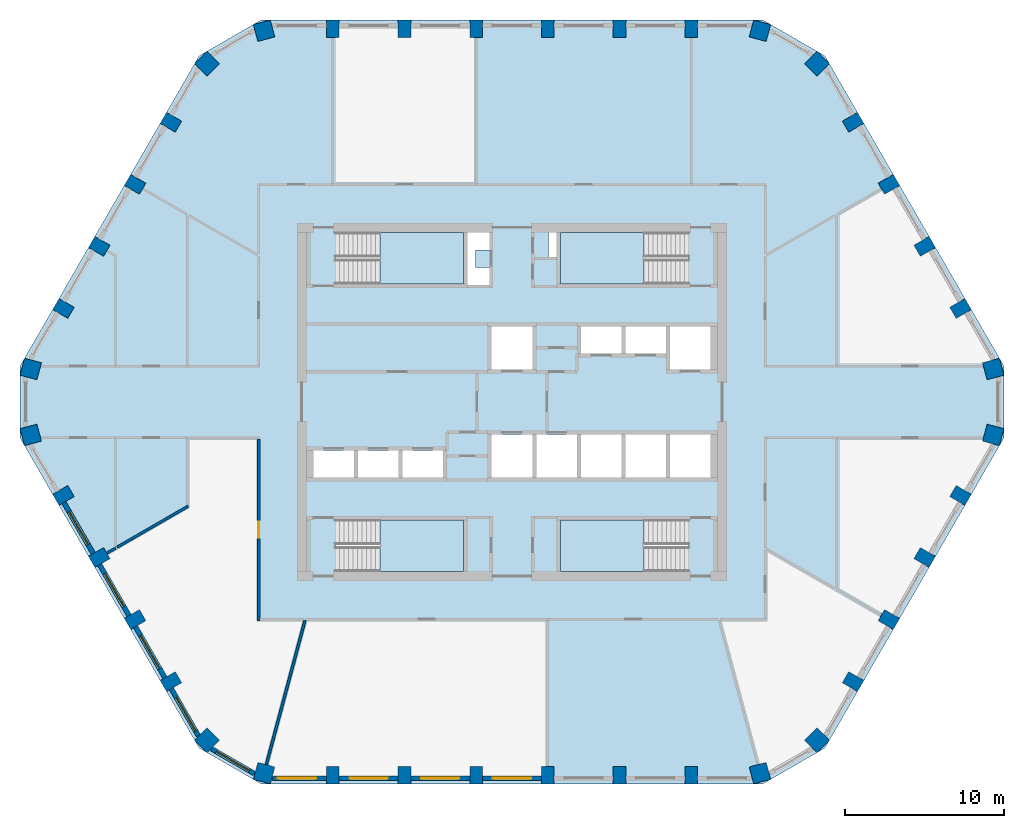
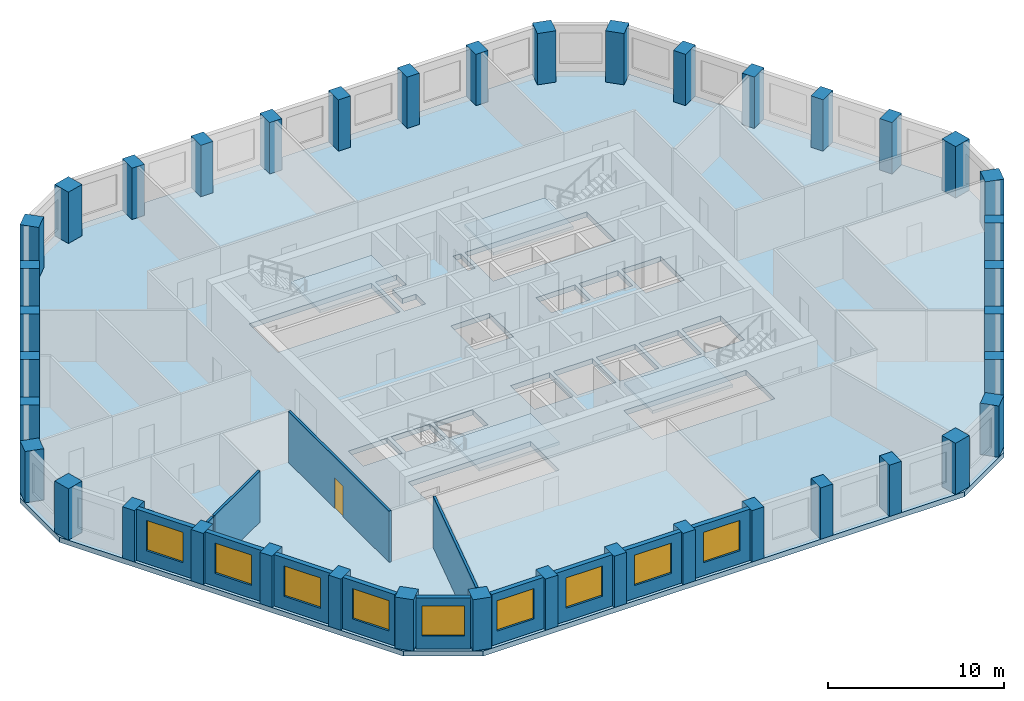
# One storey, part 1 of 11: 40 columns, 13 walls, 9 windows, 5 slabs, 1 door, 10 openings, 4 elements without a shape of their own.
"""IFC4 building model written with IfcOpenShell, lengths in metres."""

from ifc_helpers import new_model, si_unit, direction, frame, frame_2d, origin, origin_2d, place, context, subcontext, project, spatial, polyline, rectangle, outline, extrude, material, layer, layer_set, material_profile, profile_set, type_object, element, fill, aggregate, save


model = new_model("IFC4")

# Units and contexts
model_context = context("Model", 3, precision=1e-05, world=origin(), true_north=direction((0.0, 1.0)))
body_context = subcontext(model_context, "Body", "Model", "MODEL_VIEW")
ifc_project = project(units=[si_unit("LENGTHUNIT", "METRE"), si_unit("AREAUNIT", "SQUARE_METRE"), si_unit("VOLUMEUNIT", "CUBIC_METRE"), si_unit("PLANEANGLEUNIT", "RADIAN"), si_unit("MASSUNIT", "GRAM", prefix="KILO")], contexts=[model_context])

# Site, building, storey
site_placement = place(None, origin())
site = spatial("IfcSite", under=ifc_project, at=site_placement, CompositionType="ELEMENT")
building_placement = place(site_placement, origin())
building = spatial("IfcBuilding", under=site, at=building_placement, Name="Dhurran Vertical Campus", CompositionType="ELEMENT")
storey_placement = place(building_placement, frame((0.0, 0.0, 215.10009765625)))
storey = spatial("IfcBuildingStorey", under=building, at=storey_placement, Name="L53", CompositionType="ELEMENT", Elevation=215.10009765625)

# Columns
ifc_material_1 = material(Name="Concrete C50/60", Category="concrete")
ifc_material_profile_1 = material_profile(ifc_material_1, rectangle(XDim=1.10009765625, YDim=1.10009765625, at=origin_2d()), Name="RC 1100x1100")
ifc_profile_set_1 = profile_set([ifc_material_profile_1], Name="Concrete C50/60")
column_type_1 = type_object("IfcColumnType", Name="FR COL RC 1100x1100 C50/60", PredefinedType="COLUMN", material=ifc_profile_set_1)
for number, where, z_axis, x_axis, name in (
    (1, (-15.569580078125, -23.31201171875, 0.0), (0.0, 0.0, 1.0), (0.965925826289, -0.258819045103, 0.0), "Perimeter pier PP4.00"),
    (2, (15.569580078125, -23.31201171875, 0.0), (0.0, 0.0, 1.0), (0.965925826289, 0.258819045103, 0.0), "Perimeter pier PP4.07"),
    (3, (19.154052734375, -21.242431640625, 0.0), (0.0, 0.0, 1.0), (0.707106781187, 0.707106781187, 0.0), "Perimeter pier PP4.08"),
    (4, (30.223388671875, -2.069580078125, 0.0), (0.0, 0.0, 1.0), (0.258819045103, 0.965925826289, 0.0), "Perimeter pier PP4.13"),
    (5, (30.223388671875, 2.069580078125, 0.0), (0.0, 0.0, 1.0), (-0.258819045103, 0.965925826289, 0.0), "Perimeter pier PP4.14"),
    (6, (19.154052734375, 21.242431640625, 0.0), (0.0, 0.0, 1.0), (-0.707106781187, 0.707106781187, 0.0), "Perimeter pier PP4.19"),
    (7, (15.569580078125, 23.31201171875, 0.0), (0.0, 0.0, 1.0), (-0.965925826289, 0.258819045103, 0.0), "Perimeter pier PP4.20"),
    (8, (-15.569580078125, 23.31201171875, 0.0), (0.0, 0.0, 1.0), (-0.965925826289, -0.258819045103, 0.0), "Perimeter pier PP4.27"),
    (9, (-19.154052734375, 21.242431640625, 0.0), (0.0, 0.0, 1.0), (-0.707106781187, -0.707106781187, 0.0), "Perimeter pier PP4.28"),
    (10, (-30.223388671875, 2.069580078125, 0.0), (0.0, 0.0, 1.0), (-0.258819045103, -0.965925826289, 0.0), "Perimeter pier PP4.33"),
    (11, (-30.223388671875, -2.069580078125, 0.0), (0.0, 0.0, 1.0), (0.258819045103, -0.965925826289, 0.0), "Perimeter pier PP4.34"),
    (12, (-19.154052734375, -21.242431640625, 0.0), (0.0, 0.0, 1.0), (0.707106781187, -0.707106781187, 0.0), "Perimeter pier PP4.39"),
):
    element("IfcColumn", number, at=place(storey_placement, frame(where, z_axis=z_axis, x_axis=x_axis)), inside=storey, type_object=column_type_1, Name=name, PredefinedType="COLUMN", context=body_context, shape_type="SweptSolid", body=[
        extrude(rectangle(XDim=1.10009765625, YDim=1.10009765625, at=origin_2d()), origin(), (0.0, 0.0, 1.0), 3.5498046875),
    ])
ifc_material_2 = material(Name="Concrete C50/60", Category="concrete")
ifc_material_profile_2 = material_profile(ifc_material_2, rectangle(XDim=0.800048828125, YDim=1.10009765625, at=origin_2d()), Name="RC 800x1100")
ifc_profile_set_2 = profile_set([ifc_material_profile_2], Name="Concrete C50/60")
column_type_2 = type_object("IfcColumnType", Name="FR COL RC 800x1100 C50/60", PredefinedType="COLUMN", material=ifc_profile_set_2)
for number, where, z_axis, x_axis, name in (
    (13, (-11.25, -23.435546875, 0.0), (0.0, 0.0, 1.0), (1.0, 0.0, 0.0), "Perimeter pier PP4.01"),
    (14, (-6.75, -23.435546875, 0.0), (0.0, 0.0, 1.0), (1.0, 0.0, 0.0), "Perimeter pier PP4.02"),
    (15, (-2.25, -23.435546875, 0.0), (0.0, 0.0, 1.0), (1.0, 0.0, 0.0), "Perimeter pier PP4.03"),
    (16, (2.25, -23.435546875, 0.0), (0.0, 0.0, 1.0), (1.0, 0.0, 0.0), "Perimeter pier PP4.04"),
    (17, (6.75, -23.435546875, 0.0), (0.0, 0.0, 1.0), (1.0, 0.0, 0.0), "Perimeter pier PP4.05"),
    (18, (11.25, -23.435546875, 0.0), (0.0, 0.0, 1.0), (1.0, 0.0, 0.0), "Perimeter pier PP4.06"),
    (19, (21.4208984375, -17.5634765625, 0.0), (0.0, 0.0, 1.0), (0.5, 0.866025403784, 0.0), "Perimeter pier PP4.09"),
    (20, (23.6708984375, -13.666259765625, 0.0), (0.0, 0.0, 1.0), (0.5, 0.866025403784, 0.0), "Perimeter pier PP4.10"),
    (21, (25.9208984375, -9.769287109375, 0.0), (0.0, 0.0, 1.0), (0.5, 0.866025403784, 0.0), "Perimeter pier PP4.11"),
    (22, (28.1708984375, -5.8720703125, 0.0), (0.0, 0.0, 1.0), (0.5, 0.866025403784, 0.0), "Perimeter pier PP4.12"),
    (23, (28.1708984375, 5.8720703125, 0.0), (0.0, 0.0, 1.0), (-0.5, 0.866025403784, 0.0), "Perimeter pier PP4.15"),
    (24, (25.9208984375, 9.769287109375, 0.0), (0.0, 0.0, 1.0), (-0.5, 0.866025403784, 0.0), "Perimeter pier PP4.16"),
    (25, (23.6708984375, 13.666259765625, 0.0), (0.0, 0.0, 1.0), (-0.5, 0.866025403784, 0.0), "Perimeter pier PP4.17"),
    (26, (21.4208984375, 17.5634765625, 0.0), (0.0, 0.0, 1.0), (-0.5, 0.866025403784, 0.0), "Perimeter pier PP4.18"),
    (27, (11.25, 23.435546875, 0.0), (0.0, 0.0, 1.0), (-1.0, 0.0, 0.0), "Perimeter pier PP4.21"),
    (28, (6.75, 23.435546875, 0.0), (0.0, 0.0, 1.0), (-1.0, 0.0, 0.0), "Perimeter pier PP4.22"),
    (29, (2.25, 23.435546875, 0.0), (0.0, 0.0, 1.0), (-1.0, 0.0, 0.0), "Perimeter pier PP4.23"),
    (30, (-2.25, 23.435546875, 0.0), (0.0, 0.0, 1.0), (-1.0, 0.0, 0.0), "Perimeter pier PP4.24"),
    (31, (-6.75, 23.435546875, 0.0), (0.0, 0.0, 1.0), (-1.0, 0.0, 0.0), "Perimeter pier PP4.25"),
    (32, (-11.25, 23.435546875, 0.0), (0.0, 0.0, 1.0), (-1.0, 0.0, 0.0), "Perimeter pier PP4.26"),
    (33, (-21.4208984375, 17.5634765625, 0.0), (0.0, 0.0, 1.0), (-0.5, -0.866025403784, 0.0), "Perimeter pier PP4.29"),
    (34, (-23.6708984375, 13.666259765625, 0.0), (0.0, 0.0, 1.0), (-0.5, -0.866025403784, 0.0), "Perimeter pier PP4.30"),
    (35, (-25.9208984375, 9.769287109375, 0.0), (0.0, 0.0, 1.0), (-0.5, -0.866025403784, 0.0), "Perimeter pier PP4.31"),
    (36, (-28.1708984375, 5.8720703125, 0.0), (0.0, 0.0, 1.0), (-0.5, -0.866025403784, 0.0), "Perimeter pier PP4.32"),
    (37, (-28.1708984375, -5.8720703125, 0.0), (0.0, 0.0, 1.0), (0.5, -0.866025403784, 0.0), "Perimeter pier PP4.35"),
    (38, (-25.9208984375, -9.769287109375, 0.0), (0.0, 0.0, 1.0), (0.5, -0.866025403784, 0.0), "Perimeter pier PP4.36"),
    (39, (-23.6708984375, -13.666259765625, 0.0), (0.0, 0.0, 1.0), (0.5, -0.866025403784, 0.0), "Perimeter pier PP4.37"),
    (40, (-21.4208984375, -17.5634765625, 0.0), (0.0, 0.0, 1.0), (0.5, -0.866025403784, 0.0), "Perimeter pier PP4.38"),
):
    element("IfcColumn", number, at=place(storey_placement, frame(where, z_axis=z_axis, x_axis=x_axis)), inside=storey, type_object=column_type_2, Name=name, PredefinedType="COLUMN", context=body_context, shape_type="SweptSolid", body=[
        extrude(rectangle(XDim=0.800048828125, YDim=1.10009765625, at=origin_2d()), origin(), (0.0, 0.0, 1.0), 3.5498046875),
    ])

# Slab
ifc_material_3 = material(Name="Concrete C40/50", Category="concrete")
ifc_layer_1 = layer(ifc_material_3, 0.35009765625)
ifc_layer_set_1 = layer_set([ifc_layer_1], Name="Concrete C40/50")
slab_type_1 = type_object("IfcSlabType", Name="FR POST-TENSIONED FLAT SLAB 350", PredefinedType="FLOOR", material=ifc_layer_set_1)
slab_1_placement = place(storey_placement, frame((0.0, 0.0, -0.35009765625)))
element("IfcSlab", 41, at=slab_1_placement, inside=storey, type_object=slab_type_1, Name="Floor slab L53", PredefinedType="FLOOR", context=body_context, shape_type="SweptSolid", body=[
    extrude(outline(polyline([(-15.75, -23.985595703125), (15.75, -23.985595703125), (19.647216796875, -21.735595703125), (30.897216796875, -2.25), (30.897216796875, 2.25), (19.647216796875, 21.735595703125), (15.75, 23.985595703125), (-15.75, 23.985595703125), (-19.647216796875, 21.735595703125), (-30.897216796875, 2.25), (-30.897216796875, -2.25), (-19.647216796875, -21.735595703125), (-15.75, -23.985595703125)]), holes=[polyline([(-1.27490234375, 2.050048828125), (1.27490234375, 2.050048828125), (1.27490234375, 4.75), (-1.27490234375, 4.75), (-1.27490234375, 2.050048828125)]), polyline([(9.925048828125, 2.050048828125), (12.47509765625, 2.050048828125), (12.47509765625, 4.75), (9.925048828125, 4.75), (9.925048828125, 2.050048828125)]), polyline([(-1.27490234375, -4.75), (1.27490234375, -4.75), (1.27490234375, -2.050048828125), (-1.27490234375, -2.050048828125), (-1.27490234375, -4.75)]), polyline([(1.52490234375, -4.75), (4.074951171875, -4.75), (4.074951171875, -2.050048828125), (1.52490234375, -2.050048828125), (1.52490234375, -4.75)]), polyline([(4.324951171875, -4.75), (6.875, -4.75), (6.875, -2.050048828125), (4.324951171875, -2.050048828125), (4.324951171875, -4.75)]), polyline([(7.125, -4.75), (9.675048828125, -4.75), (9.675048828125, -2.050048828125), (7.125, -2.050048828125), (7.125, -4.75)]), polyline([(9.925048828125, -4.75), (12.47509765625, -4.75), (12.47509765625, -2.050048828125), (9.925048828125, -2.050048828125), (9.925048828125, -4.75)]), polyline([(4.324951171875, 3.050048828125), (6.875, 3.050048828125), (6.875, 4.75), (4.324951171875, 4.75), (4.324951171875, 3.050048828125)]), polyline([(7.125, 3.050048828125), (9.675048828125, 3.050048828125), (9.675048828125, 4.75), (7.125, 4.75), (7.125, 3.050048828125)]), polyline([(-12.47509765625, -4.75), (-9.925048828125, -4.75), (-9.925048828125, -3.050048828125), (-12.47509765625, -3.050048828125), (-12.47509765625, -4.75)]), polyline([(-9.675048828125, -4.75), (-7.125, -4.75), (-7.125, -3.050048828125), (-9.675048828125, -3.050048828125), (-9.675048828125, -4.75)]), polyline([(-6.875, -4.75), (-4.324951171875, -4.75), (-4.324951171875, -3.050048828125), (-6.875, -3.050048828125), (-6.875, -4.75)]), polyline([(-11.050048828125, 7.39990234375), (-3.050048828125, 7.39990234375), (-3.050048828125, 10.64990234375), (-11.050048828125, 10.64990234375), (-11.050048828125, 7.39990234375)]), polyline([(3.050048828125, 7.39990234375), (11.050048828125, 7.39990234375), (11.050048828125, 10.64990234375), (3.050048828125, 10.64990234375), (3.050048828125, 7.39990234375)]), polyline([(-11.050048828125, -10.64990234375), (-3.050048828125, -10.64990234375), (-3.050048828125, -7.39990234375), (-11.050048828125, -7.39990234375), (-11.050048828125, -10.64990234375)]), polyline([(3.050048828125, -10.64990234375), (11.050048828125, -10.64990234375), (11.050048828125, -7.39990234375), (3.050048828125, -7.39990234375), (3.050048828125, -10.64990234375)]), polyline([(-2.800048828125, 10.64990234375), (-1.39990234375, 10.64990234375), (-1.39990234375, 9.550048828125), (-2.300048828125, 9.550048828125), (-2.300048828125, 8.449951171875), (-1.39990234375, 8.449951171875), (-1.39990234375, 7.35009765625), (-2.800048828125, 7.35009765625), (-2.800048828125, 10.64990234375)]), polyline([(2.300048828125, 9.0), (2.300048828125, 10.64990234375), (2.800048828125, 10.64990234375), (2.800048828125, 9.0), (2.300048828125, 9.0)])]), origin(), (0.0, 0.0, 1.0), 0.35009765625),
])

# Stair, slab
ifc_material_4 = material(Name="Concrete C40/50", Category="concrete")
stair_type = type_object("IfcStairType", Name="co-ST-CORE", PredefinedType="HALF_TURN_STAIR", material=ifc_material_4)
stair_1_placement = place(storey_placement, origin())
stair_1 = element("IfcStair", 42, at=stair_1_placement, inside=storey, type_object=stair_type, Name="L53 Protected exit stair ST1", PredefinedType="HALF_TURN_STAIR")
ifc_material_5 = material(Name="Concrete C40/50", Category="concrete")
ifc_layer_2 = layer(ifc_material_5, 0.199951171875)
ifc_layer_set_2 = layer_set([ifc_layer_2], Name="Concrete C40/50")
slab_type_2 = type_object("IfcSlabType", Name="co-SL-LANDING", PredefinedType="LANDING", material=ifc_layer_set_2)
slab_2_placement = place(storey_placement, frame((0.0, 0.0, 1.75)))
slab_2 = element("IfcSlab", 43, at=slab_2_placement, type_object=slab_type_2, Name="ST1 landing 1", PredefinedType="LANDING", context=body_context, shape_type="SweptSolid", body=[
    extrude(outline(polyline([(-8.300048828125, 7.39990234375), (-3.050048828125, 7.39990234375), (-3.050048828125, 10.64990234375), (-8.300048828125, 10.64990234375), (-8.300048828125, 7.39990234375)])), origin(), (0.0, 0.0, 1.0), 0.199951171875),
])
aggregate(stair_1, [slab_2])

stair_2_placement = place(storey_placement, origin())
stair_2 = element("IfcStair", 44, at=stair_2_placement, inside=storey, type_object=stair_type, Name="L53 Protected exit stair ST2", PredefinedType="HALF_TURN_STAIR")
slab_3_placement = place(storey_placement, frame((0.0, 0.0, 1.75)))
slab_3 = element("IfcSlab", 45, at=slab_3_placement, type_object=slab_type_2, Name="ST2 landing 1", PredefinedType="LANDING", context=body_context, shape_type="SweptSolid", body=[
    extrude(outline(polyline([(8.300048828125, 10.64990234375), (3.050048828125, 10.64990234375), (3.050048828125, 7.39990234375), (8.300048828125, 7.39990234375), (8.300048828125, 10.64990234375)])), origin(), (0.0, 0.0, 1.0), 0.199951171875),
])
aggregate(stair_2, [slab_3])

stair_3_placement = place(storey_placement, origin())
stair_3 = element("IfcStair", 46, at=stair_3_placement, inside=storey, type_object=stair_type, Name="L53 Protected exit stair ST3", PredefinedType="HALF_TURN_STAIR")
slab_4_placement = place(storey_placement, frame((0.0, 0.0, 1.75)))
slab_4 = element("IfcSlab", 47, at=slab_4_placement, type_object=slab_type_2, Name="ST3 landing 1", PredefinedType="LANDING", context=body_context, shape_type="SweptSolid", body=[
    extrude(outline(polyline([(-8.300048828125, -10.64990234375), (-3.050048828125, -10.64990234375), (-3.050048828125, -7.39990234375), (-8.300048828125, -7.39990234375), (-8.300048828125, -10.64990234375)])), origin(), (0.0, 0.0, 1.0), 0.199951171875),
])
aggregate(stair_3, [slab_4])

stair_4_placement = place(storey_placement, origin())
stair_4 = element("IfcStair", 48, at=stair_4_placement, inside=storey, type_object=stair_type, Name="L53 Protected exit stair ST4", PredefinedType="HALF_TURN_STAIR")
slab_5_placement = place(storey_placement, frame((0.0, 0.0, 1.75)))
slab_5 = element("IfcSlab", 49, at=slab_5_placement, type_object=slab_type_2, Name="ST4 landing 1", PredefinedType="LANDING", context=body_context, shape_type="SweptSolid", body=[
    extrude(outline(polyline([(8.300048828125, -7.39990234375), (3.050048828125, -7.39990234375), (3.050048828125, -10.64990234375), (8.300048828125, -10.64990234375), (8.300048828125, -7.39990234375)])), origin(), (0.0, 0.0, 1.0), 0.199951171875),
])
aggregate(stair_4, [slab_5])

# Wall, opening, window
ifc_material_6 = material(Name="Precast concrete C50/60", Category="concrete")
ifc_layer_3 = layer(ifc_material_6, 0.300048828125)
ifc_layer_set_3 = layer_set([ifc_layer_3], Name="Precast concrete C50/60")
wall_type_1 = type_object("IfcWallType", Name="Precast spandrel wall 300", PredefinedType="SOLIDWALL", material=ifc_layer_set_3)
wall_1_placement = place(storey_placement, frame((-15.04638671875, -23.635498046875, 0.0), z_axis=(0.0, 0.0, 1.0), x_axis=(1.0, 0.0, 0.0)))
wall_1 = element("IfcWall", 50, at=wall_1_placement, inside=storey, type_object=wall_type_1, Name="EW1 L53.00", PredefinedType="SOLIDWALL", context=body_context, shape_type="SweptSolid", body=[
    extrude(rectangle(XDim=3.39599609375, YDim=0.300048828125, at=frame_2d((1.697998046875, 0.0))), origin(), (0.0, 0.0, 1.0), 3.5498046875),
])
opening_1_placement = place(wall_1_placement, frame((0.34619140625, 0.0, 0.89990234375)))
opening_1 = element("IfcOpeningElement", 51, at=opening_1_placement, cuts=wall_1, Name="Opening WT1", PredefinedType="OPENING", context=body_context, shape_type="SweptSolid", body=[
    extrude(rectangle(XDim=2.39990234375, YDim=2.10009765625, at=frame_2d((1.199951171875, 1.050048828125))), frame((0.0, 0.159912109375, 0.0), z_axis=(0.0, -1.0, 0.0), x_axis=(1.0, 0.0, 0.0)), (0.0, 0.0, 1.0), 0.320068359375),
])
ifc_material_7 = material(Name="Aluminium frame with solar-control glass", Category="aluminium")
window_type = type_object("IfcWindowType", Name="Punched window 2400 x 2100", PartitioningType="SINGLE_PANEL", PredefinedType="WINDOW", material=ifc_material_7)
window_1_placement = place(opening_1_placement, origin())
window_1 = element("IfcWindow", 52, at=window_1_placement, inside=storey, type_object=window_type, Name="WT1 L53.00", OverallHeight=2.10009765625, OverallWidth=2.39990234375, PartitioningType="SINGLE_PANEL", PredefinedType="WINDOW", context=body_context, shape_type="SweptSolid", body=[
    extrude(rectangle(XDim=2.39990234375, YDim=2.10009765625, at=frame_2d((1.199951171875, 1.050048828125))), frame((0.0, 0.030029296875, 0.0), z_axis=(0.0, -1.0, 0.0), x_axis=(1.0, 0.0, 0.0)), (0.0, 0.0, 1.0), 0.06005859375),
])
fill(opening_1, window_1)

wall_2_placement = place(storey_placement, frame((-10.849609375, -23.635498046875, 0.0), z_axis=(0.0, 0.0, 1.0), x_axis=(1.0, 0.0, 0.0)))
wall_2 = element("IfcWall", 53, at=wall_2_placement, inside=storey, type_object=wall_type_1, Name="EW1 L53.01", PredefinedType="SOLIDWALL", context=body_context, shape_type="SweptSolid", body=[
    extrude(rectangle(XDim=3.69921875, YDim=0.300048828125, at=frame_2d((1.849609375, 0.0))), origin(), (0.0, 0.0, 1.0), 3.5498046875),
])
opening_2_placement = place(wall_2_placement, frame((0.6494140625, 0.0, 0.89990234375)))
opening_2 = element("IfcOpeningElement", 54, at=opening_2_placement, cuts=wall_2, Name="Opening WT1", PredefinedType="OPENING", context=body_context, shape_type="SweptSolid", body=[
    extrude(rectangle(XDim=2.39990234375, YDim=2.10009765625, at=frame_2d((1.199951171875, 1.050048828125))), frame((0.0, 0.159912109375, 0.0), z_axis=(0.0, -1.0, 0.0), x_axis=(1.0, 0.0, 0.0)), (0.0, 0.0, 1.0), 0.320068359375),
])
window_2_placement = place(opening_2_placement, origin())
window_2 = element("IfcWindow", 55, at=window_2_placement, inside=storey, type_object=window_type, Name="WT1 L53.01", OverallHeight=2.10009765625, OverallWidth=2.39990234375, PartitioningType="SINGLE_PANEL", PredefinedType="WINDOW", context=body_context, shape_type="SweptSolid", body=[
    extrude(rectangle(XDim=2.39990234375, YDim=2.10009765625, at=frame_2d((1.199951171875, 1.050048828125))), frame((0.0, 0.030029296875, 0.0), z_axis=(0.0, -1.0, 0.0), x_axis=(1.0, 0.0, 0.0)), (0.0, 0.0, 1.0), 0.06005859375),
])
fill(opening_2, window_2)

wall_3_placement = place(storey_placement, frame((-6.349609375, -23.635498046875, 0.0), z_axis=(0.0, 0.0, 1.0), x_axis=(1.0, 0.0, 0.0)))
wall_3 = element("IfcWall", 56, at=wall_3_placement, inside=storey, type_object=wall_type_1, Name="EW1 L53.02", PredefinedType="SOLIDWALL", context=body_context, shape_type="SweptSolid", body=[
    extrude(rectangle(XDim=3.69921875, YDim=0.300048828125, at=frame_2d((1.849609375, 0.0))), origin(), (0.0, 0.0, 1.0), 3.5498046875),
])
opening_3_placement = place(wall_3_placement, frame((0.6494140625, 0.0, 0.89990234375)))
opening_3 = element("IfcOpeningElement", 57, at=opening_3_placement, cuts=wall_3, Name="Opening WT1", PredefinedType="OPENING", context=body_context, shape_type="SweptSolid", body=[
    extrude(rectangle(XDim=2.39990234375, YDim=2.10009765625, at=frame_2d((1.199951171875, 1.050048828125))), frame((0.0, 0.159912109375, 0.0), z_axis=(0.0, -1.0, 0.0), x_axis=(1.0, 0.0, 0.0)), (0.0, 0.0, 1.0), 0.320068359375),
])
window_3_placement = place(opening_3_placement, origin())
window_3 = element("IfcWindow", 58, at=window_3_placement, inside=storey, type_object=window_type, Name="WT1 L53.02", OverallHeight=2.10009765625, OverallWidth=2.39990234375, PartitioningType="SINGLE_PANEL", PredefinedType="WINDOW", context=body_context, shape_type="SweptSolid", body=[
    extrude(rectangle(XDim=2.39990234375, YDim=2.10009765625, at=frame_2d((1.199951171875, 1.050048828125))), frame((0.0, 0.030029296875, 0.0), z_axis=(0.0, -1.0, 0.0), x_axis=(1.0, 0.0, 0.0)), (0.0, 0.0, 1.0), 0.06005859375),
])
fill(opening_3, window_3)

wall_4_placement = place(storey_placement, frame((-1.849609375, -23.635498046875, 0.0), z_axis=(0.0, 0.0, 1.0), x_axis=(1.0, 0.0, 0.0)))
wall_4 = element("IfcWall", 59, at=wall_4_placement, inside=storey, type_object=wall_type_1, Name="EW1 L53.03", PredefinedType="SOLIDWALL", context=body_context, shape_type="SweptSolid", body=[
    extrude(rectangle(XDim=3.69921875, YDim=0.300048828125, at=frame_2d((1.849609375, 0.0))), origin(), (0.0, 0.0, 1.0), 3.5498046875),
])
opening_4_placement = place(wall_4_placement, frame((0.6494140625, 0.0, 0.89990234375)))
opening_4 = element("IfcOpeningElement", 60, at=opening_4_placement, cuts=wall_4, Name="Opening WT1", PredefinedType="OPENING", context=body_context, shape_type="SweptSolid", body=[
    extrude(rectangle(XDim=2.39990234375, YDim=2.10009765625, at=frame_2d((1.199951171875, 1.050048828125))), frame((0.0, 0.159912109375, 0.0), z_axis=(0.0, -1.0, 0.0), x_axis=(1.0, 0.0, 0.0)), (0.0, 0.0, 1.0), 0.320068359375),
])
window_4_placement = place(opening_4_placement, origin())
window_4 = element("IfcWindow", 61, at=window_4_placement, inside=storey, type_object=window_type, Name="WT1 L53.03", OverallHeight=2.10009765625, OverallWidth=2.39990234375, PartitioningType="SINGLE_PANEL", PredefinedType="WINDOW", context=body_context, shape_type="SweptSolid", body=[
    extrude(rectangle(XDim=2.39990234375, YDim=2.10009765625, at=frame_2d((1.199951171875, 1.050048828125))), frame((0.0, 0.030029296875, 0.0), z_axis=(0.0, -1.0, 0.0), x_axis=(1.0, 0.0, 0.0)), (0.0, 0.0, 1.0), 0.06005859375),
])
fill(opening_4, window_4)

wall_5_placement = place(storey_placement, frame((-28.143798828125, -6.319091796875, 0.0), z_axis=(0.0, 0.0, 1.0), x_axis=(0.500029062817, -0.866008623709, 0.0)))
wall_5 = element("IfcWall", 62, at=wall_5_placement, inside=storey, type_object=wall_type_1, Name="EW1 L53.35", PredefinedType="SOLIDWALL", context=body_context, shape_type="SweptSolid", body=[
    extrude(rectangle(XDim=3.698974609375, YDim=0.300048828125, at=frame_2d((1.849609375, 0.0))), origin(), (0.0, 0.0, 1.0), 3.5498046875),
])
opening_5_placement = place(wall_5_placement, frame((0.6494140625, 0.0, 0.89990234375)))
opening_5 = element("IfcOpeningElement", 63, at=opening_5_placement, cuts=wall_5, Name="Opening WT1", PredefinedType="OPENING", context=body_context, shape_type="SweptSolid", body=[
    extrude(rectangle(XDim=2.39990234375, YDim=2.10009765625, at=frame_2d((1.199951171875, 1.050048828125))), frame((0.0, 0.159912109375, 0.0), z_axis=(0.0, -1.0, 0.0), x_axis=(1.0, 0.0, 0.0)), (0.0, 0.0, 1.0), 0.320068359375),
])
window_5_placement = place(opening_5_placement, origin())
window_5 = element("IfcWindow", 64, at=window_5_placement, inside=storey, type_object=window_type, Name="WT1 L53.35", OverallHeight=2.10009765625, OverallWidth=2.39990234375, PartitioningType="SINGLE_PANEL", PredefinedType="WINDOW", context=body_context, shape_type="SweptSolid", body=[
    extrude(rectangle(XDim=2.39990234375, YDim=2.10009765625, at=frame_2d((1.199951171875, 1.050048828125))), frame((0.0, 0.030029296875, 0.0), z_axis=(0.0, -1.0, 0.0), x_axis=(1.0, 0.0, 0.0)), (0.0, 0.0, 1.0), 0.06005859375),
])
fill(opening_5, window_5)

wall_6_placement = place(storey_placement, frame((-25.893798828125, -10.216064453125, 0.0), z_axis=(0.0, 0.0, 1.0), x_axis=(0.500029062817, -0.866008623709, 0.0)))
wall_6 = element("IfcWall", 65, at=wall_6_placement, inside=storey, type_object=wall_type_1, Name="EW1 L53.36", PredefinedType="SOLIDWALL", context=body_context, shape_type="SweptSolid", body=[
    extrude(rectangle(XDim=3.698974609375, YDim=0.300048828125, at=frame_2d((1.849609375, 0.0))), origin(), (0.0, 0.0, 1.0), 3.5498046875),
])
opening_6_placement = place(wall_6_placement, frame((0.6494140625, 0.0, 0.89990234375)))
opening_6 = element("IfcOpeningElement", 66, at=opening_6_placement, cuts=wall_6, Name="Opening WT1", PredefinedType="OPENING", context=body_context, shape_type="SweptSolid", body=[
    extrude(rectangle(XDim=2.39990234375, YDim=2.10009765625, at=frame_2d((1.199951171875, 1.050048828125))), frame((0.0, 0.159912109375, 0.0), z_axis=(0.0, -1.0, 0.0), x_axis=(1.0, 0.0, 0.0)), (0.0, 0.0, 1.0), 0.320068359375),
])
window_6_placement = place(opening_6_placement, origin())
window_6 = element("IfcWindow", 67, at=window_6_placement, inside=storey, type_object=window_type, Name="WT1 L53.36", OverallHeight=2.10009765625, OverallWidth=2.39990234375, PartitioningType="SINGLE_PANEL", PredefinedType="WINDOW", context=body_context, shape_type="SweptSolid", body=[
    extrude(rectangle(XDim=2.39990234375, YDim=2.10009765625, at=frame_2d((1.199951171875, 1.050048828125))), frame((0.0, 0.030029296875, 0.0), z_axis=(0.0, -1.0, 0.0), x_axis=(1.0, 0.0, 0.0)), (0.0, 0.0, 1.0), 0.06005859375),
])
fill(opening_6, window_6)

wall_7_placement = place(storey_placement, frame((-23.643798828125, -14.11328125, 0.0), z_axis=(0.0, 0.0, 1.0), x_axis=(0.500029062817, -0.866008623709, 0.0)))
wall_7 = element("IfcWall", 68, at=wall_7_placement, inside=storey, type_object=wall_type_1, Name="EW1 L53.37", PredefinedType="SOLIDWALL", context=body_context, shape_type="SweptSolid", body=[
    extrude(rectangle(XDim=3.698974609375, YDim=0.300048828125, at=frame_2d((1.849609375, 0.0))), origin(), (0.0, 0.0, 1.0), 3.5498046875),
])
opening_7_placement = place(wall_7_placement, frame((0.6494140625, 0.0, 0.89990234375)))
opening_7 = element("IfcOpeningElement", 69, at=opening_7_placement, cuts=wall_7, Name="Opening WT1", PredefinedType="OPENING", context=body_context, shape_type="SweptSolid", body=[
    extrude(rectangle(XDim=2.39990234375, YDim=2.10009765625, at=frame_2d((1.199951171875, 1.050048828125))), frame((0.0, 0.159912109375, 0.0), z_axis=(0.0, -1.0, 0.0), x_axis=(1.0, 0.0, 0.0)), (0.0, 0.0, 1.0), 0.320068359375),
])
window_7_placement = place(opening_7_placement, origin())
window_7 = element("IfcWindow", 70, at=window_7_placement, inside=storey, type_object=window_type, Name="WT1 L53.37", OverallHeight=2.10009765625, OverallWidth=2.39990234375, PartitioningType="SINGLE_PANEL", PredefinedType="WINDOW", context=body_context, shape_type="SweptSolid", body=[
    extrude(rectangle(XDim=2.39990234375, YDim=2.10009765625, at=frame_2d((1.199951171875, 1.050048828125))), frame((0.0, 0.030029296875, 0.0), z_axis=(0.0, -1.0, 0.0), x_axis=(1.0, 0.0, 0.0)), (0.0, 0.0, 1.0), 0.06005859375),
])
fill(opening_7, window_7)

wall_8_placement = place(storey_placement, frame((-21.393798828125, -18.01025390625, 0.0), z_axis=(0.0, 0.0, 1.0), x_axis=(0.500012868213, -0.866017974191, 0.0)))
wall_8 = element("IfcWall", 71, at=wall_8_placement, inside=storey, type_object=wall_type_1, Name="EW1 L53.38", PredefinedType="SOLIDWALL", context=body_context, shape_type="SweptSolid", body=[
    extrude(rectangle(XDim=3.39599609375, YDim=0.300048828125, at=frame_2d((1.697998046875, 0.0))), origin(), (0.0, 0.0, 1.0), 3.5498046875),
])
opening_8_placement = place(wall_8_placement, frame((0.6494140625, 0.0, 0.89990234375)))
opening_8 = element("IfcOpeningElement", 72, at=opening_8_placement, cuts=wall_8, Name="Opening WT1", PredefinedType="OPENING", context=body_context, shape_type="SweptSolid", body=[
    extrude(rectangle(XDim=2.39990234375, YDim=2.10009765625, at=frame_2d((1.199951171875, 1.050048828125))), frame((0.0, 0.159912109375, 0.0), z_axis=(0.0, -1.0, 0.0), x_axis=(1.0, 0.0, 0.0)), (0.0, 0.0, 1.0), 0.320068359375),
])
window_8_placement = place(opening_8_placement, origin())
window_8 = element("IfcWindow", 73, at=window_8_placement, inside=storey, type_object=window_type, Name="WT1 L53.38", OverallHeight=2.10009765625, OverallWidth=2.39990234375, PartitioningType="SINGLE_PANEL", PredefinedType="WINDOW", context=body_context, shape_type="SweptSolid", body=[
    extrude(rectangle(XDim=2.39990234375, YDim=2.10009765625, at=frame_2d((1.199951171875, 1.050048828125))), frame((0.0, 0.030029296875, 0.0), z_axis=(0.0, -1.0, 0.0), x_axis=(1.0, 0.0, 0.0)), (0.0, 0.0, 1.0), 0.06005859375),
])
fill(opening_8, window_8)

wall_9_placement = place(storey_placement, frame((-18.86279296875, -21.7841796875, 0.0), z_axis=(0.0, 0.0, 1.0), x_axis=(0.865994975416, -0.500052699777, 0.0)))
wall_9 = element("IfcWall", 74, at=wall_9_placement, inside=storey, type_object=wall_type_1, Name="EW1 L53.39", PredefinedType="SOLIDWALL", context=body_context, shape_type="SweptSolid", body=[
    extrude(rectangle(XDim=3.093017578125, YDim=0.300048828125, at=frame_2d((1.54638671875, 0.0))), origin(), (0.0, 0.0, 1.0), 3.5498046875),
])
opening_9_placement = place(wall_9_placement, frame((0.34619140625, 0.0, 0.89990234375)))
opening_9 = element("IfcOpeningElement", 75, at=opening_9_placement, cuts=wall_9, Name="Opening WT1", PredefinedType="OPENING", context=body_context, shape_type="SweptSolid", body=[
    extrude(rectangle(XDim=2.39990234375, YDim=2.10009765625, at=frame_2d((1.199951171875, 1.050048828125))), frame((0.0, 0.159912109375, 0.0), z_axis=(0.0, -1.0, 0.0), x_axis=(1.0, 0.0, 0.0)), (0.0, 0.0, 1.0), 0.320068359375),
])
window_9_placement = place(opening_9_placement, origin())
window_9 = element("IfcWindow", 76, at=window_9_placement, inside=storey, type_object=window_type, Name="WT1 L53.39", OverallHeight=2.10009765625, OverallWidth=2.39990234375, PartitioningType="SINGLE_PANEL", PredefinedType="WINDOW", context=body_context, shape_type="SweptSolid", body=[
    extrude(rectangle(XDim=2.39990234375, YDim=2.10009765625, at=frame_2d((1.199951171875, 1.050048828125))), frame((0.0, 0.030029296875, 0.0), z_axis=(0.0, -1.0, 0.0), x_axis=(1.0, 0.0, 0.0)), (0.0, 0.0, 1.0), 0.06005859375),
])
fill(opening_9, window_9)

# Wall, opening, door
ifc_material_8 = material(Name="Gypsum board corridor wall on steel studs", Category="steel")
ifc_layer_4 = layer(ifc_material_8, 0.14990234375)
ifc_layer_set_4 = layer_set([ifc_layer_4], Name="Gypsum board corridor wall on steel studs")
wall_type_2 = type_object("IfcWallType", Name="fl-CW-150 corridor wall", PredefinedType="PARTITIONING", material=ifc_layer_set_4)
wall_10_placement = place(storey_placement, frame((-15.89990234375, -2.324951171875, 0.0), z_axis=(0.0, 0.0, 1.0), x_axis=(0.0, -1.0, 0.0)))
wall_10 = element("IfcWall", 77, at=wall_10_placement, inside=storey, type_object=wall_type_2, Name="Partition 53-16", PredefinedType="PARTITIONING", context=body_context, shape_type="SweptSolid", body=[
    extrude(rectangle(XDim=11.400146484375, YDim=0.14990234375, at=frame_2d((5.7001953125, 0.0))), origin(), (0.0, 0.0, 1.0), 3.5498046875),
])
opening_10_placement = place(wall_10_placement, frame((5.199951171875, 0.0, 0.0)))
opening_10 = element("IfcOpeningElement", 78, at=opening_10_placement, cuts=wall_10, Name="Opening T15.05", PredefinedType="OPENING", context=body_context, shape_type="SweptSolid", body=[
    extrude(rectangle(XDim=1.0, YDim=2.10009765625, at=frame_2d((0.5, 1.050048828125))), frame((0.0, 0.0849609375, 0.0), z_axis=(0.0, -1.0, 0.0), x_axis=(1.0, 0.0, 0.0)), (0.0, 0.0, 1.0), 0.169921875),
])
ifc_material_9 = material(Name="Solid-core timber door set, fire-rated", Category="wood")
door_type = type_object("IfcDoorType", Name="fl-D-1000x2100", OperationType="SINGLE_SWING_LEFT", PredefinedType="DOOR", material=ifc_material_9)
door_placement = place(opening_10_placement, origin())
door = element("IfcDoor", 79, at=door_placement, inside=storey, type_object=door_type, Name="Door 53.05", OperationType="SINGLE_SWING_LEFT", OverallHeight=2.10009765625, OverallWidth=1.0, PredefinedType="DOOR", context=body_context, shape_type="SweptSolid", body=[
    extrude(rectangle(XDim=1.0, YDim=2.10009765625, at=frame_2d((0.5, 1.050048828125))), frame((0.0, 0.02490234375, 0.0), z_axis=(0.0, -1.0, 0.0), x_axis=(1.0, 0.0, 0.0)), (0.0, 0.0, 1.0), 0.050048828125),
])
fill(opening_10, door)

# Walls
ifc_material_10 = material(Name="Gypsum board partition on steel studs", Category="steel")
ifc_layer_5 = layer(ifc_material_10, 0.14990234375)
ifc_layer_set_5 = layer_set([ifc_layer_5], Name="Gypsum board partition on steel studs")
wall_type_3 = type_object("IfcWallType", Name="fl-PW-150 fixed partition", PredefinedType="PARTITIONING", material=ifc_layer_set_5)
wall_11_placement = place(storey_placement, frame((-24.89990234375, -9.179931640625, 0.0), z_axis=(0.0, 0.0, 1.0), x_axis=(-0.86593842012, -0.50015062987, 0.0)))
element("IfcWall", 80, at=wall_11_placement, inside=storey, type_object=wall_type_3, Name="Partition 53-03", PredefinedType="PARTITIONING", context=body_context, shape_type="SweptSolid", body=[
    extrude(rectangle(XDim=0.608642578125, YDim=0.14990234375, at=frame_2d((0.30419921875, 0.0))), origin(), (0.0, 0.0, 1.0), 3.5498046875),
])
wall_12_placement = place(storey_placement, frame((-20.3349609375, -6.54443359375, 0.0), z_axis=(0.0, 0.0, 1.0), x_axis=(-0.86602821796, -0.499995125673, 0.0)))
element("IfcWall", 81, at=wall_12_placement, inside=storey, type_object=wall_type_3, Name="Partition 53-06", PredefinedType="PARTITIONING", context=body_context, shape_type="SweptSolid", body=[
    extrude(rectangle(XDim=5.14111328125, YDim=0.14990234375, at=frame_2d((2.570556640625, 0.0))), origin(), (0.0, 0.0, 1.0), 3.5498046875),
])
wall_13_placement = place(storey_placement, frame((-13.00048828125, -13.722412109375, 0.0), z_axis=(0.0, 0.0, 1.0), x_axis=(-0.258812157425, -0.96592767181, 0.0)))
element("IfcWall", 82, at=wall_13_placement, inside=storey, type_object=wall_type_3, Name="Partition 53-21", PredefinedType="PARTITIONING", context=body_context, shape_type="SweptSolid", body=[
    extrude(rectangle(XDim=9.357666015625, YDim=0.14990234375, at=frame_2d((4.6787109375, 0.0))), origin(), (0.0, 0.0, 1.0), 3.5498046875),
])

save(model, "model.ifc")
